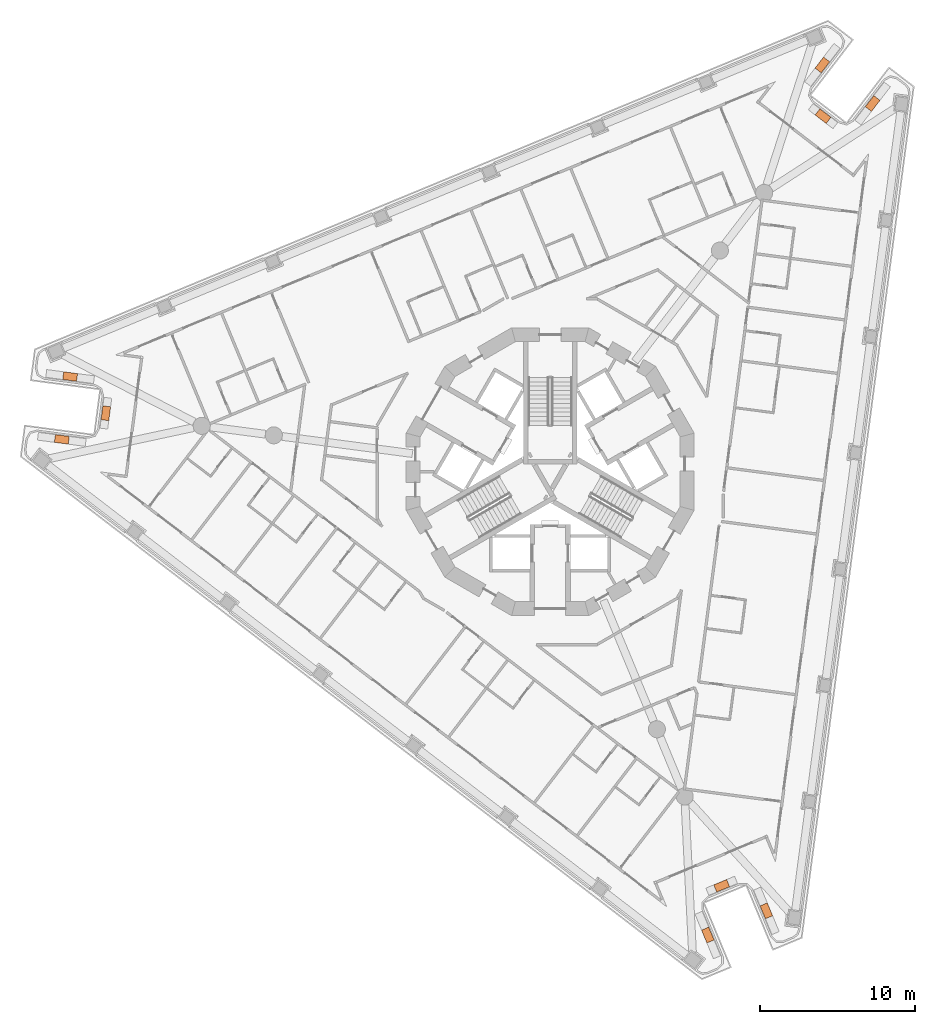
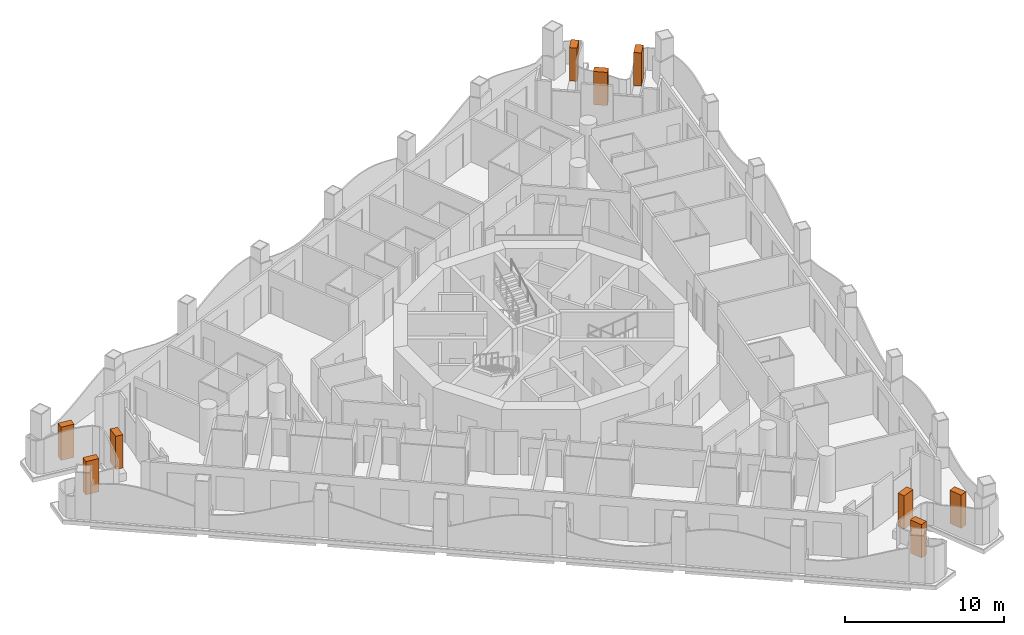
# One storey, part 18 of 18: 9 geographic elements.
"""IFC4 building model written with IfcOpenShell, lengths in metres."""

import ifcopenshell
import ifcopenshell.guid

model = None  # the IFC model being written
_history = None  # IfcOwnerHistory: only IFC2X3 demands one
_inside = {}  # id of a spatial element -> (the spatial element, [elements in it])
_under = {}  # id of a project, library or spatial element -> (it, [spatial elements below it])
_declared = {}  # id of a project -> (the project, [libraries it declares])
_typed = {}  # id of a type object -> (the type object, [elements of that type])
_made_of = {}  # id of a material, layer set ... -> (it, [elements and type objects made of it])


def new_model(schema):
    """Start an empty IFC model of exactly this schema.

    Asked for "IFC4X3", IfcOpenShell would pick the latest addendum, in which some entities
    have other attributes; the version numbers below select the first issue.
    IFC2X3 requires an IfcOwnerHistory on every rooted entity: one is made here for all.
    """
    global model, _history
    if schema == "IFC4X3":
        model = ifcopenshell.file(schema_version=(4, 3, 0, 0))
    else:
        model = ifcopenshell.file(schema=schema)
    _inside.clear()
    _under.clear()
    _declared.clear()
    _typed.clear()
    _made_of.clear()
    _history = None
    if model.schema == "IFC2X3":
        org = make("IfcOrganization", Name="unknown")
        user = make(
            "IfcPersonAndOrganization",
            ThePerson=make("IfcPerson", FamilyName="unknown"),
            TheOrganization=org,
        )
        app = make(
            "IfcApplication",
            ApplicationDeveloper=org,
            Version="unknown",
            ApplicationFullName="unknown",
            ApplicationIdentifier="unknown",
        )
        _history = make(
            "IfcOwnerHistory",
            OwningUser=user,
            OwningApplication=app,
            ChangeAction="ADDED",
            CreationDate=0,
        )
    return model


def make(cls, **values):
    """One entity of the class cls with the attributes given. An attribute that is None is left unset."""
    return model.create_entity(
        cls, **{name: value for name, value in values.items() if value is not None}
    )


def rooted(cls, **values):
    """An entity with a GlobalId (a new one), such as an element, a storey or a relation."""
    return make(cls, GlobalId=ifcopenshell.guid.new(), OwnerHistory=_history, **values)


def si_unit(unit_type, name, prefix=None):
    """IfcSIUnit, for example si_unit("LENGTHUNIT", "METRE", prefix="MILLI")."""
    return make("IfcSIUnit", UnitType=unit_type, Prefix=prefix, Name=name)


def assignment(units):
    """IfcUnitAssignment: the units of a project."""
    return None if units is None else make("IfcUnitAssignment", Units=units)


def point(xyz):
    """IfcCartesianPoint."""
    return None if xyz is None else make("IfcCartesianPoint", Coordinates=xyz)


def direction(xyz):
    """IfcDirection."""
    return None if xyz is None else make("IfcDirection", DirectionRatios=xyz)


def frame(location, z_axis=None, x_axis=None):
    """IfcAxis2Placement3D, a coordinate frame: its origin and axes. An axis left out is left unset."""
    return make(
        "IfcAxis2Placement3D",
        Location=point(location),
        Axis=direction(z_axis),
        RefDirection=direction(x_axis),
    )


def frame_2d(location, x_axis=None):
    """IfcAxis2Placement2D, a coordinate frame in the plane: its origin and x axis."""
    return make(
        "IfcAxis2Placement2D", Location=point(location), RefDirection=direction(x_axis)
    )


def origin():
    """The frame at (0, 0, 0) with its axes left unset."""
    return frame((0.0, 0.0, 0.0))


def origin_2d():
    """The frame at (0, 0) in the plane with its x axis left unset."""
    return frame_2d((0.0, 0.0))


def place(relative_to, where):
    """IfcLocalPlacement: puts the frame where relative to a parent placement (None: the world)."""
    return make(
        "IfcLocalPlacement", PlacementRelTo=relative_to, RelativePlacement=where
    )


def context(
    kind, dimensions, precision=None, world=None, true_north=None, identifier=None
):
    """IfcGeometricRepresentationContext, for example the 3D "Model" context."""
    return make(
        "IfcGeometricRepresentationContext",
        ContextIdentifier=identifier,
        ContextType=kind,
        CoordinateSpaceDimension=dimensions,
        Precision=precision,
        WorldCoordinateSystem=world,
        TrueNorth=true_north,
    )


def subcontext(parent, identifier, kind, view, scale=None):
    """IfcGeometricRepresentationSubContext, for example "Body" below "Model"."""
    return make(
        "IfcGeometricRepresentationSubContext",
        ContextIdentifier=identifier,
        ContextType=kind,
        ParentContext=parent,
        TargetScale=scale,
        TargetView=view,
    )


def project(units=None, contexts=None):
    """IfcProject with its units and contexts."""
    return rooted(
        "IfcProject",
        Name="project",
        RepresentationContexts=contexts,
        UnitsInContext=assignment(units),
    )


def spatial(cls, under=None, at=None, **own):
    """A site, building, storey or space (cls), placed at a placement, below another one or the project."""
    s = rooted(cls, ObjectPlacement=at, **own)
    if under is not None:
        _under.setdefault(under.id(), (under, []))[1].append(s)
    return s


def profile(cls, at=None, kind="AREA", **sizes):
    """A parametric profile (cls). Its sizes go by their IFC names, for example OverallWidth=200.0."""
    return make(cls, ProfileType=kind, Position=at, **sizes)


def rectangle(**sizes):
    """IfcRectangleProfileDef."""
    return profile("IfcRectangleProfileDef", **sizes)


def extrude(swept, where, along, depth):
    """IfcExtrudedAreaSolid: the profile swept, set in the frame where, extruded along a direction by depth."""
    return make(
        "IfcExtrudedAreaSolid",
        SweptArea=swept,
        Position=where,
        ExtrudedDirection=direction(along),
        Depth=depth,
    )


def shape(context_of_items, identifier, shape_type, items):
    """IfcShapeRepresentation: the items that make up one representation, for example the "Body"."""
    return make(
        "IfcShapeRepresentation",
        ContextOfItems=context_of_items,
        RepresentationIdentifier=identifier,
        RepresentationType=shape_type,
        Items=items,
    )


def made_of(thing, what):
    """Note that an element or type object is made of a material, layer set ...; save() writes the relation."""
    if what is not None:
        _made_of.setdefault(what.id(), (what, []))[1].append(thing)
    return thing


def element(
    cls,
    number,
    at=None,
    inside=None,
    cuts=None,
    type_object=None,
    material=None,
    context=None,
    identifier="Body",
    shape_type=None,
    held_by="IfcProductDefinitionShape",
    body=None,
    shapes=None,
    **own,
):
    """One element of the class cls, such as IfcWall. Its Tag is "e" and its number.

    at: its placement. inside: the storey or other place that contains it. cuts: it is an
    opening in that element (IfcRelVoidsElement). A single representation is given by context,
    identifier, shape_type and body (its items); several are given by shapes. held_by: the class
    of the entity that holds the representations. save() writes the other relations.
    """
    e = rooted(cls, Tag="e%d" % number, ObjectPlacement=at, **own)
    if body is not None:
        shapes = [shape(context, identifier, shape_type, body)]
    if shapes is not None:
        e.Representation = make(held_by, Representations=shapes)
    if inside is not None:
        _inside.setdefault(inside.id(), (inside, []))[1].append(e)
    if cuts is not None:
        rooted(
            "IfcRelVoidsElement", RelatingBuildingElement=cuts, RelatedOpeningElement=e
        )
    if type_object is not None:
        _typed.setdefault(type_object.id(), (type_object, []))[1].append(e)
    return made_of(e, material)


def aggregate(whole, parts):
    """IfcRelAggregates: a whole, such as a stair, and the parts it consists of."""
    return rooted("IfcRelAggregates", RelatingObject=whole, RelatedObjects=parts)


def save(model, path):
    """Write the relations noted so far, then the file.

    IfcRelAggregates (storeys below a building ...), IfcRelContainedInSpatialStructure (elements
    in a storey), IfcRelDefinesByType, IfcRelAssociatesMaterial and IfcRelDeclares: one each for
    every whole, place, type object, material and project.
    """
    for whole, parts in _under.values():
        aggregate(whole, parts)
    for where, things in _inside.values():
        rooted(
            "IfcRelContainedInSpatialStructure",
            RelatedElements=things,
            RelatingStructure=where,
        )
    for kind, things in _typed.values():
        rooted("IfcRelDefinesByType", RelatedObjects=things, RelatingType=kind)
    for what, things in _made_of.values():
        rooted("IfcRelAssociatesMaterial", RelatedObjects=things, RelatingMaterial=what)
    for by, libraries in _declared.values():
        rooted("IfcRelDeclares", RelatingContext=by, RelatedDefinitions=libraries)
    model.write(path)


model = new_model("IFC4")

# Units and contexts
model_context = context("Model", 3, precision=1e-05, world=origin(), true_north=direction((0.0, 1.0)))
body_context = subcontext(model_context, "Body", "Model", "MODEL_VIEW")
ifc_project = project(units=[si_unit("LENGTHUNIT", "METRE"), si_unit("AREAUNIT", "SQUARE_METRE"), si_unit("VOLUMEUNIT", "CUBIC_METRE"), si_unit("PLANEANGLEUNIT", "RADIAN"), si_unit("MASSUNIT", "GRAM", prefix="KILO")], contexts=[model_context])

# Site, building, storey
site_placement = place(None, origin())
site = spatial("IfcSite", under=ifc_project, at=site_placement, CompositionType="ELEMENT")
building_placement = place(site_placement, origin())
building = spatial("IfcBuilding", under=site, at=building_placement, Name="Trine Commons Tower", CompositionType="ELEMENT")
storey_placement = place(building_placement, frame((0.0, 0.0, 142.199951171875)))
storey = spatial("IfcBuildingStorey", under=building, at=storey_placement, Name="L36", CompositionType="ELEMENT", Elevation=142.199951171875)

# Geographic elements
for number, where, z_axis, x_axis, name in (
    (1, (48.54638671875, 64.58349609375, 0.60009765625), (0.0, 0.0, 1.0), (0.991446455978, -0.130514079426, 0.0), "Tree 1.1"),
    (2, (51.380615234375, 66.267822265625, 0.60009765625), (0.0, 0.0, 1.0), (0.130543496177, 0.991442583111, 0.0), "Tree 2.1"),
    (3, (49.078857421875, 68.62841796875, 0.60009765625), (0.0, 0.0, 1.0), (-0.991446000392, 0.130517540226, 0.0), "Tree 3.1"),
    (4, (97.531005859375, 88.697998046875, 0.60009765625), (0.0, 0.0, 1.0), (-0.608754505672, -0.793358652707, 0.0), "Tree 4.1"),
    (5, (97.57275390625, 85.4013671875, 0.60009765625), (0.0, 0.0, 1.0), (0.793335277627, -0.608784968008, 0.0), "Tree 5.1"),
    (6, (100.767822265625, 86.214111328125, 0.60009765625), (0.0, 0.0, 1.0), (0.6087683523, 0.793348027815, 0.0), "Tree 6.1"),
    (7, (93.922607421875, 34.21875, 0.60009765625), (0.0, 0.0, 1.0), (-0.382694719654, 0.923874857082, 0.0), "Tree 7.1"),
    (8, (91.046630859375, 35.830810546875, 0.60009765625), (0.0, 0.0, 1.0), (-0.923877528773, -0.382688269782, 0.0), "Tree 8.1"),
    (9, (90.153076171875, 32.657470703125, 0.60009765625), (0.0, 0.0, 1.0), (0.382694719654, -0.923874857082, 0.0), "Tree 9.1"),
):
    element("IfcGeographicElement", number, at=place(storey_placement, frame(where, z_axis=z_axis, x_axis=x_axis)), inside=storey, Name=name, ObjectType="TREE Tabebuia rosea", PredefinedType="USERDEFINED", context=body_context, shape_type="SweptSolid", body=[
        extrude(rectangle(XDim=0.89990234375, YDim=0.5, at=origin_2d()), origin(), (0.0, 0.0, 1.0), 2.550048828125),
    ])

save(model, "model.ifc")
